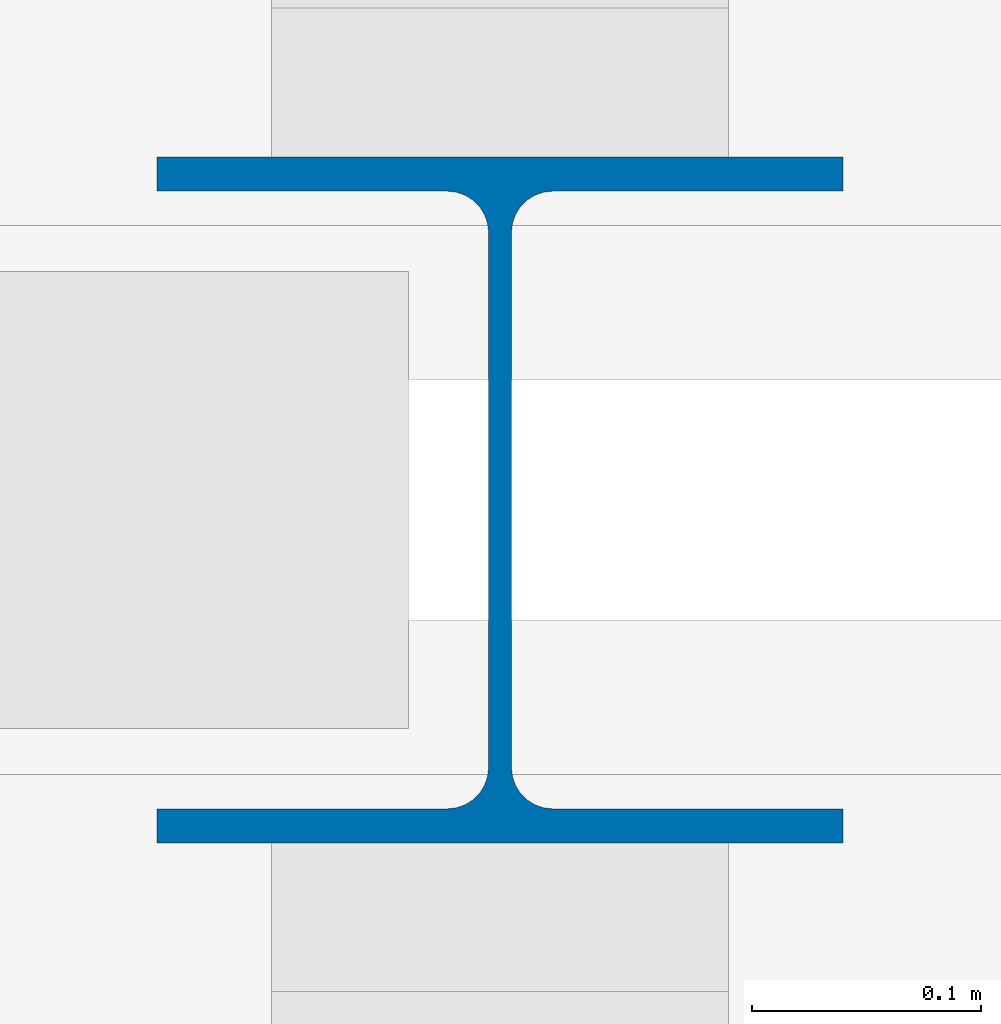
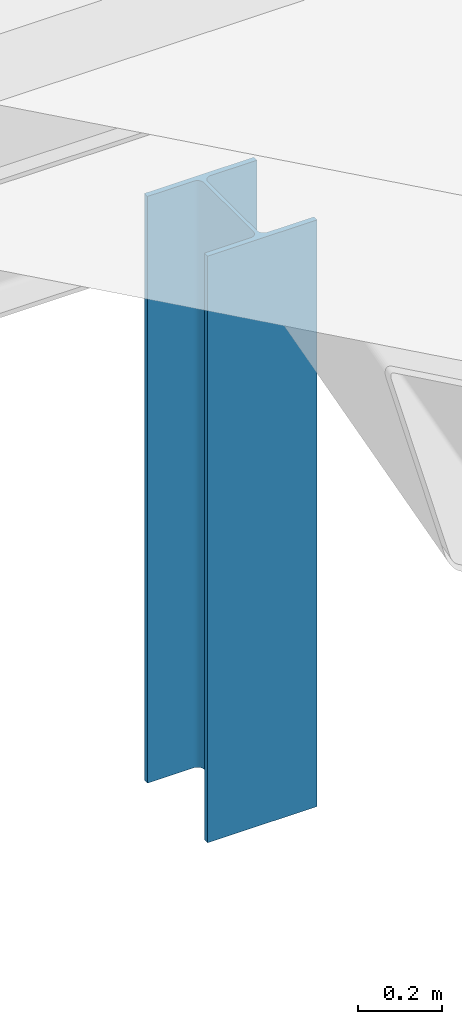
# One storey, part 8 of 128: 1 column.
"""IFC4 building model written with IfcOpenShell, lengths in metres."""

from ifc_helpers import new_model, si_unit, derived_unit, direction, frame, origin, origin_2d, place, context, subcontext, project, spatial, i_section, extrude, material, material_profile, profile_set, type_object, element, save


model = new_model("IFC4")

# Units and contexts
model_context = context("Model", 3, precision=1e-05, world=origin(), true_north=direction((0.0, 1.0)))
body_context = subcontext(model_context, "Body", "Model", "MODEL_VIEW")
ifc_project = project(units=[si_unit("LENGTHUNIT", "METRE"), si_unit("AREAUNIT", "SQUARE_METRE"), si_unit("VOLUMEUNIT", "CUBIC_METRE"), si_unit("PLANEANGLEUNIT", "RADIAN"), si_unit("MASSUNIT", "GRAM", prefix="KILO"), derived_unit("THERMALTRANSMITTANCEUNIT", [(si_unit("MASSUNIT", "GRAM", prefix="KILO"), 1), (si_unit("TIMEUNIT", "SECOND"), -3), (si_unit("THERMODYNAMICTEMPERATUREUNIT", "KELVIN"), -1)])], contexts=[model_context])

# Site, building, storey
site_placement = place(None, origin())
site = spatial("IfcSite", under=ifc_project, at=site_placement, CompositionType="ELEMENT")
building_placement = place(site_placement, origin())
building = spatial("IfcBuilding", under=site, at=building_placement, Name="Zhenchuan Archway Interchange", CompositionType="ELEMENT")
storey_placement = place(building_placement, frame((0.0, 0.0, 14.39990234375)))
storey = spatial("IfcBuildingStorey", under=building, at=storey_placement, Name="L03", CompositionType="ELEMENT", Elevation=14.39990234375)

# Column
ifc_material = material(Name="Steel Q355", Category="steel")
ifc_material_profile = material_profile(ifc_material, i_section(OverallWidth=0.300048828125, OverallDepth=0.300048828125, WebThickness=0.010009765625, FlangeThickness=0.014892578125, FilletRadius=0.01806640625, at=origin_2d()), Name="HW 300x300")
ifc_profile_set = profile_set([ifc_material_profile], Name="Steel Q355")
column_type = type_object("IfcColumnType", Name="COL_STL_GABLE_HW300", PredefinedType="COLUMN", material=ifc_profile_set)
column_placement = place(storey_placement, frame((54.0, 104.0, 0.0), z_axis=(0.0, 0.0, 1.0), x_axis=(1.0, 0.0, 0.0)))
element("IfcColumn", 1, at=column_placement, inside=storey, type_object=column_type, Name="Terminal Wing gable ridge column 7/O (L03)", PredefinedType="COLUMN", context=body_context, shape_type="SweptSolid", body=[
    extrude(i_section(OverallWidth=0.300048828125, OverallDepth=0.300048828125, WebThickness=0.010009765625, FlangeThickness=0.014892578125, FilletRadius=0.01806640625, at=origin_2d()), origin(), (0.0, 0.0, 1.0), 1.7001953125),
])

save(model, "model.ifc")
